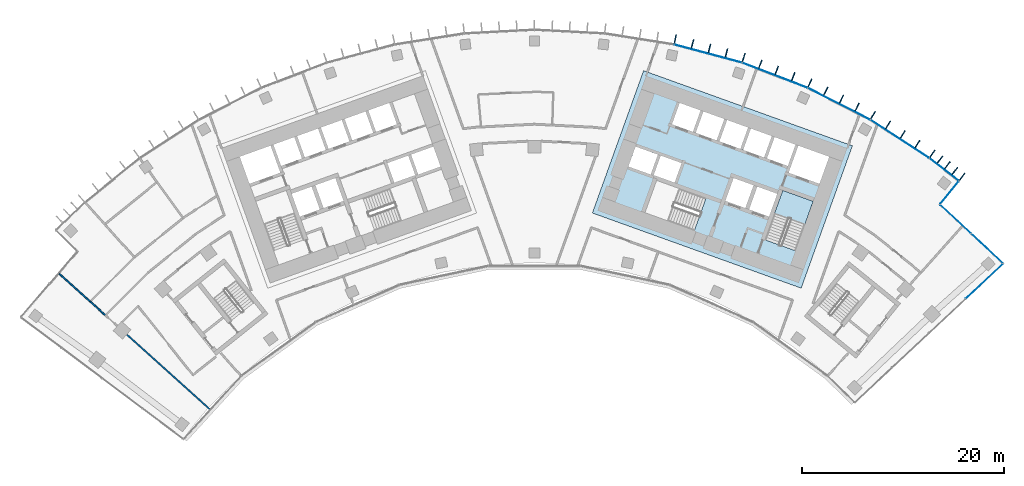
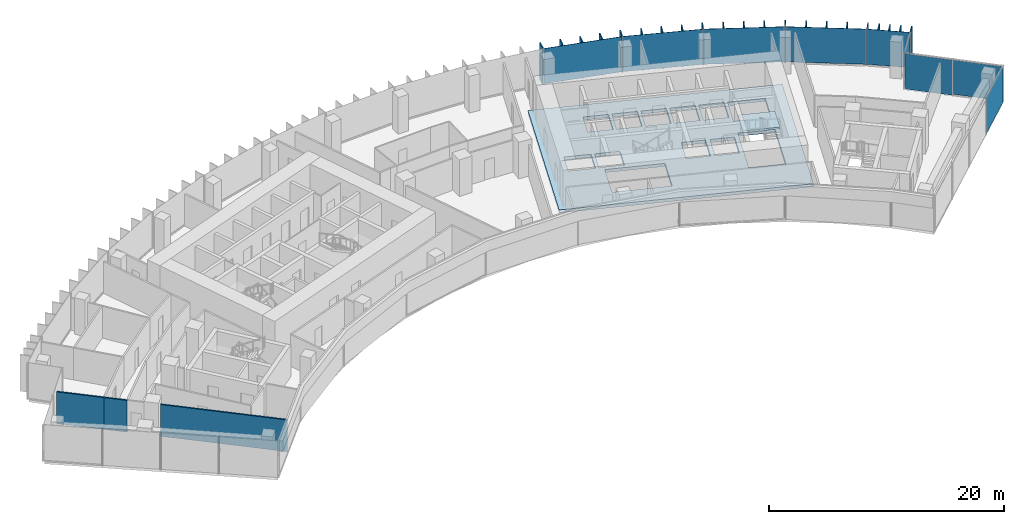
# One storey, part 13 of 21: 30 plates, 3 walls, 2 slabs, 5 elements without a shape of their own.
"""IFC4 building model written with IfcOpenShell, lengths in metres."""

from ifc_helpers import new_model, si_unit, direction, frame, frame_2d, origin, origin_2d, place, context, subcontext, project, spatial, polyline, rectangle, outline, extrude, material, layer, layer_set, type_object, element, aggregate, save


model = new_model("IFC4")

# Units and contexts
model_context = context("Model", 3, precision=1e-05, world=origin(), true_north=direction((0.0, 1.0)))
body_context = subcontext(model_context, "Body", "Model", "MODEL_VIEW")
ifc_project = project(units=[si_unit("LENGTHUNIT", "METRE"), si_unit("AREAUNIT", "SQUARE_METRE"), si_unit("VOLUMEUNIT", "CUBIC_METRE"), si_unit("PLANEANGLEUNIT", "RADIAN"), si_unit("MASSUNIT", "GRAM", prefix="KILO")], contexts=[model_context])

# Site, building, storey
site_placement = place(None, origin())
site = spatial("IfcSite", under=ifc_project, at=site_placement, CompositionType="ELEMENT")
building_placement = place(site_placement, origin())
building = spatial("IfcBuilding", under=site, at=building_placement, Name="Stone Belt Terrace Tower", CompositionType="ELEMENT")
storey_placement = place(building_placement, frame((0.0, 0.0, 189.60009765625)))
storey = spatial("IfcBuildingStorey", under=building, at=storey_placement, Name="L46", CompositionType="ELEMENT", Elevation=189.60009765625)

# Curtain wall, plates
ifc_material_1 = material(Name="Aluminium 6063-T6 anodised frame", Category="aluminium")
ifc_layer_1 = layer(ifc_material_1, 0.14990234375)
ifc_layer_set_1 = layer_set([ifc_layer_1], Name="CW-A unitised convex-face curtain wall")
curtain_wall_type_1 = type_object("IfcCurtainWallType", Name="CW-A unitised convex-face curtain wall", PredefinedType="NOTDEFINED", material=ifc_layer_set_1)
curtain_wall_1_placement = place(storey_placement, origin())
curtain_wall_1 = element("IfcCurtainWall", 1, at=curtain_wall_1_placement, inside=storey, type_object=curtain_wall_type_1, Name="CW-A convex face L46", PredefinedType="NOTDEFINED")
ifc_material_2 = material(Name="Clear double glazed unit")
ifc_layer_2 = layer(ifc_material_2, 0.031982421875)
ifc_layer_set_2 = layer_set([ifc_layer_2], Name="CW-A glass panel 32")
plate_type_1 = type_object("IfcPlateType", Name="CW-A glass panel 32", PredefinedType="CURTAIN_PANEL", material=ifc_layer_set_2)
plate_1_placement = place(storey_placement, frame((40.583251953125, 52.744140625, 0.14013671875), z_axis=(0.0, 0.0, 1.0), x_axis=(-0.792693871824, 0.60961990254, 0.0)))
plate_1 = element("IfcPlate", 2, at=plate_1_placement, type_object=plate_type_1, Name="CW-A panel 1.1", PredefinedType="CURTAIN_PANEL", context=body_context, shape_type="SweptSolid", body=[
    extrude(rectangle(XDim=3.597900390625, YDim=0.031982421875, at=origin_2d()), origin(), (0.0, 0.0, 1.0), 3.659912109375),
])
plate_2_placement = place(storey_placement, frame((36.209716796875, 55.758056640625, 0.14013671875), z_axis=(0.0, 0.0, 1.0), x_axis=(-0.838670567945, 0.544639035015, 0.0)))
plate_2 = element("IfcPlate", 3, at=plate_2_placement, type_object=plate_type_1, Name="CW-A panel 2.1", PredefinedType="CURTAIN_PANEL", context=body_context, shape_type="SweptSolid", body=[
    extrude(rectangle(XDim=6.900634765625, YDim=0.031982421875, at=origin_2d()), origin(), (0.0, 0.0, 1.0), 3.659912109375),
])
plate_3_placement = place(storey_placement, frame((30.18310546875, 59.237548828125, 0.14013671875), z_axis=(0.0, 0.0, 1.0), x_axis=(-0.891006524188, 0.45399049974, 0.0)))
plate_3 = element("IfcPlate", 4, at=plate_3_placement, type_object=plate_type_1, Name="CW-A panel 3.1", PredefinedType="CURTAIN_PANEL", context=body_context, shape_type="SweptSolid", body=[
    extrude(rectangle(XDim=6.90087890625, YDim=0.031982421875, at=origin_2d()), origin(), (0.0, 0.0, 1.0), 3.659912109375),
])
plate_4_placement = place(storey_placement, frame((23.82568359375, 62.068115234375, 0.14013671875), z_axis=(0.0, 0.0, 1.0), x_axis=(-0.933580426497, 0.358367949545, 0.0)))
plate_4 = element("IfcPlate", 5, at=plate_4_placement, type_object=plate_type_1, Name="CW-A panel 4.1", PredefinedType="CURTAIN_PANEL", context=body_context, shape_type="SweptSolid", body=[
    extrude(rectangle(XDim=6.90087890625, YDim=0.031982421875, at=origin_2d()), origin(), (0.0, 0.0, 1.0), 3.659912109375),
])
plate_5_placement = place(storey_placement, frame((17.207275390625, 64.218505859375, 0.14013671875), z_axis=(0.0, 0.0, 1.0), x_axis=(-0.965925826289, 0.258819045103, 0.0)))
plate_5 = element("IfcPlate", 6, at=plate_5_placement, type_object=plate_type_1, Name="CW-A panel 5.1", PredefinedType="CURTAIN_PANEL", context=body_context, shape_type="SweptSolid", body=[
    extrude(rectangle(XDim=6.90087890625, YDim=0.031982421875, at=origin_2d()), origin(), (0.0, 0.0, 1.0), 3.659912109375),
])
aggregate(curtain_wall_1, [plate_1, plate_2, plate_3, plate_4, plate_5])

# Curtain wall, plate
ifc_layer_3 = layer(ifc_material_1, 0.14990234375)
ifc_layer_set_3 = layer_set([ifc_layer_3], Name="CW-C stick curtain wall, horn ends and notches")
curtain_wall_type_2 = type_object("IfcCurtainWallType", Name="CW-C stick curtain wall, horn ends and notches", PredefinedType="NOTDEFINED", material=ifc_layer_set_3)
curtain_wall_2_placement = place(storey_placement, origin())
curtain_wall_2 = element("IfcCurtainWall", 7, at=curtain_wall_2_placement, inside=storey, type_object=curtain_wall_type_2, Name="CW-C end face L46", PredefinedType="NOTDEFINED")
ifc_layer_4 = layer(ifc_material_2, 0.028076171875)
ifc_layer_set_4 = layer_set([ifc_layer_4], Name="CW-C glass panel 28")
plate_type_2 = type_object("IfcPlateType", Name="CW-C glass panel 28", PredefinedType="CURTAIN_PANEL", material=ifc_layer_set_4)
plate_6_placement = place(storey_placement, frame((44.588134765625, 41.65380859375, 0.0), z_axis=(0.0, 0.0, 1.0), x_axis=(0.729904219708, 0.683549434973, 0.0)))
plate_6 = element("IfcPlate", 8, at=plate_6_placement, type_object=plate_type_2, Name="CW-C panel 4.1", PredefinedType="CURTAIN_PANEL", context=body_context, shape_type="SweptSolid", body=[
    extrude(rectangle(XDim=4.974853515625, YDim=0.028076171875, at=origin_2d()), origin(), (0.0, 0.0, 1.0), 3.679931640625),
])
aggregate(curtain_wall_2, [plate_6])

# Curtain wall, plates
curtain_wall_3_placement = place(storey_placement, origin())
curtain_wall_3 = element("IfcCurtainWall", 9, at=curtain_wall_3_placement, inside=storey, type_object=curtain_wall_type_2, Name="CW-C notch face L46", PredefinedType="NOTDEFINED")
plate_7_placement = place(storey_placement, frame((44.8427734375, 44.91259765625, 0.119873046875), z_axis=(0.0, 0.0, 1.0), x_axis=(-0.731339333871, 0.682013767261, 0.0)))
plate_7 = element("IfcPlate", 10, at=plate_7_placement, type_object=plate_type_2, Name="CW-C panel 1.1", PredefinedType="CURTAIN_PANEL", context=body_context, shape_type="SweptSolid", body=[
    extrude(rectangle(XDim=4.268798828125, YDim=0.028076171875, at=origin_2d()), origin(), (0.0, 0.0, 1.0), 3.56005859375),
])
plate_8_placement = place(storey_placement, frame((41.731201171875, 47.814208984375, 0.0), z_axis=(0.0, 0.0, 1.0), x_axis=(-0.731339333871, 0.682013767261, 0.0)))
plate_8 = element("IfcPlate", 11, at=plate_8_placement, type_object=plate_type_2, Name="CW-C panel 2.1", PredefinedType="CURTAIN_PANEL", context=body_context, shape_type="SweptSolid", body=[
    extrude(rectangle(XDim=4.12060546875, YDim=0.028076171875, at=origin_2d()), origin(), (0.0, 0.0, 1.0), 3.679931640625),
])
aggregate(curtain_wall_3, [plate_7, plate_8])

# Curtain wall, plate
curtain_wall_4_placement = place(storey_placement, origin())
curtain_wall_4 = element("IfcCurtainWall", 12, at=curtain_wall_4_placement, inside=storey, type_object=curtain_wall_type_2, Name="CW-C notch face L46", PredefinedType="NOTDEFINED")
plate_9_placement = place(storey_placement, frame((41.119140625, 50.43505859375, 0.119873046875), z_axis=(0.0, 0.0, 1.0), x_axis=(0.631001485542, 0.775781622136, 0.0)))
plate_9 = element("IfcPlate", 13, at=plate_9_placement, type_object=plate_type_2, Name="CW-C panel 1.1", PredefinedType="CURTAIN_PANEL", context=body_context, shape_type="SweptSolid", body=[
    extrude(rectangle(XDim=2.859130859375, YDim=0.028076171875, at=origin_2d()), origin(), (0.0, 0.0, 1.0), 3.56005859375),
])
aggregate(curtain_wall_4, [plate_9])

# Slab
ifc_material_3 = material(Name="Concrete B40", Category="concrete")
ifc_layer_5 = layer(ifc_material_3, 0.320068359375)
ifc_layer_set_5 = layer_set([ifc_layer_5], Name="Core floor slab 320")
slab_type_1 = type_object("IfcSlabType", Name="Core floor slab 320", PredefinedType="FLOOR", material=ifc_layer_set_5)
slab_1_placement = place(storey_placement, frame((0.0, 0.0, -0.320068359375)))
element("IfcSlab", 14, at=slab_1_placement, inside=storey, type_object=slab_type_1, Name="Core B floor L46", PredefinedType="FLOOR", context=body_context, shape_type="SweptSolid", body=[
    extrude(outline(polyline([(26.43505859375, 40.968994140625), (31.513916015625, 55.0830078125), (10.81396484375, 62.531982421875), (5.735107421875, 48.4189453125), (26.43505859375, 40.968994140625)]), holes=[polyline([(12.10595703125, 51.652099609375), (16.998046875, 49.89208984375), (15.846923828125, 46.69189453125), (10.955078125, 48.452880859375), (12.10595703125, 51.652099609375)]), polyline([(12.511962890625, 54.110107421875), (14.58203125, 53.364990234375), (13.887939453125, 51.43603515625), (11.864990234375, 52.1640625), (11.847900390625, 52.116943359375), (11.801025390625, 52.134033203125), (12.511962890625, 54.110107421875)]), polyline([(9.30810546875, 53.031005859375), (10.01904296875, 55.007080078125), (12.22998046875, 54.2109375), (11.51904296875, 52.235107421875), (9.30810546875, 53.031005859375)]), polyline([(18.333984375, 55.52197265625), (19.095947265625, 57.638916015625), (21.166015625, 56.89404296875), (20.404052734375, 54.777099609375), (18.333984375, 55.52197265625)]), polyline([(16.743896484375, 58.485107421875), (18.81396484375, 57.739990234375), (18.052001953125, 55.623046875), (15.98193359375, 56.367919921875), (16.743896484375, 58.485107421875)]), polyline([(14.39111328125, 59.33203125), (16.4609375, 58.5869140625), (15.699951171875, 56.469970703125), (13.6298828125, 57.215087890625), (14.39111328125, 59.33203125)]), polyline([(27.618896484375, 49.575927734375), (25.85888671875, 44.68408203125), (22.847900390625, 45.76806640625), (24.60791015625, 50.659912109375), (27.618896484375, 49.575927734375)]), polyline([(23.25, 48.06689453125), (21.27392578125, 48.778076171875), (22.0869140625, 51.035888671875), (24.06298828125, 50.324951171875), (23.25, 48.06689453125)]), polyline([(20.89794921875, 48.9130859375), (18.922119140625, 49.6240234375), (19.735107421875, 51.883056640625), (21.7109375, 51.1708984375), (20.89794921875, 48.9130859375)]), polyline([(26.153076171875, 55.09912109375), (29.2109375, 53.9990234375), (28.24609375, 51.31689453125), (25.18798828125, 52.41796875), (26.153076171875, 55.09912109375)]), polyline([(23.801025390625, 55.946044921875), (25.87109375, 55.200927734375), (25.10888671875, 53.083984375), (23.0390625, 53.8291015625), (23.801025390625, 55.946044921875)]), polyline([(21.447998046875, 56.7919921875), (23.51806640625, 56.047119140625), (22.756103515625, 53.929931640625), (20.68603515625, 54.675048828125), (21.447998046875, 56.7919921875)])]), origin(), (0.0, 0.0, 1.0), 0.320068359375),
])

# Stair, slab
stair_type = type_object("IfcStairType", Name="Exit stair 1500", PredefinedType="HALF_TURN_STAIR", material=ifc_material_3)
stair_placement = place(storey_placement, origin())
stair = element("IfcStair", 15, at=stair_placement, inside=storey, type_object=stair_type, Name="L46 Exit stair 1 core B", PredefinedType="HALF_TURN_STAIR")
ifc_layer_6 = layer(ifc_material_3, 0.199951171875)
ifc_layer_set_6 = layer_set([ifc_layer_6], Name="Stair landing 200")
slab_type_2 = type_object("IfcSlabType", Name="Stair landing 200", PredefinedType="LANDING", material=ifc_layer_set_6)
slab_2_placement = place(storey_placement, frame((0.0, 0.0, 1.699951171875)))
slab_2 = element("IfcSlab", 16, at=slab_2_placement, type_object=slab_type_2, Name="ST1B landing 1", PredefinedType="LANDING", context=body_context, shape_type="SweptSolid", body=[
    extrude(outline(polyline([(26.806396484375, 47.3173828125), (27.619384765625, 49.576171875), (24.6083984375, 50.659912109375), (23.79541015625, 48.40087890625), (26.806396484375, 47.3173828125)])), origin(), (0.0, 0.0, 1.0), 0.199951171875),
])
aggregate(stair, [slab_2])

# Plates
ifc_material_4 = material(Name="Terracotta coloured glazed ceramic", Category="masonry")
ifc_layer_7 = layer(ifc_material_4, 0.10009765625)
ifc_layer_set_7 = layer_set([ifc_layer_7], Name="Terracotta fin 100 x 900")
plate_type_3 = type_object("IfcPlateType", Name="Terracotta fin 100 x 900", PredefinedType="SHEET", material=ifc_layer_set_7)
for number, where, z_axis, x_axis, name in (
    (17, (42.388427734375, 52.01806640625, 0.0), (0.0, 0.0, 1.0), (0.60961990254, 0.792693871824, 0.0), "FIN L46 1.1"),
    (18, (41.654052734375, 52.582763671875, 0.0), (0.0, 0.0, 1.0), (0.60961990254, 0.792693871824, 0.0), "FIN L46 1.2"),
    (19, (40.919677734375, 53.147705078125, 0.0), (0.0, 0.0, 1.0), (0.60961990254, 0.792693871824, 0.0), "FIN L46 1.3"),
    (20, (40.185546875, 53.71240234375, 0.0), (0.0, 0.0, 1.0), (0.60961990254, 0.792693871824, 0.0), "FIN L46 1.4"),
    (21, (39.434326171875, 54.28955078125, 0.0), (0.0, 0.0, 1.0), (0.577587125789, 0.816329046477, 0.0), "FIN L46 2.1"),
    (22, (37.9560546875, 55.25, 0.0), (0.0, 0.0, 1.0), (0.544639035015, 0.838670567945, 0.0), "FIN L46 2.2"),
    (23, (36.495361328125, 56.19873046875, 0.0), (0.0, 0.0, 1.0), (0.544639035015, 0.838670567945, 0.0), "FIN L46 2.3"),
    (24, (35.034423828125, 57.147216796875, 0.0), (0.0, 0.0, 1.0), (0.544639035015, 0.838670567945, 0.0), "FIN L46 2.4"),
    (25, (33.550048828125, 58.1103515625, 0.0), (0.0, 0.0, 1.0), (0.5, 0.866025403784, 0.0), "FIN L46 3.1"),
    (26, (31.9736328125, 58.914306640625, 0.0), (0.0, 0.0, 1.0), (0.45399049974, 0.891006524188, 0.0), "FIN L46 3.2"),
    (27, (30.42138671875, 59.705322265625, 0.0), (0.0, 0.0, 1.0), (0.45399049974, 0.891006524188, 0.0), "FIN L46 3.3"),
    (28, (28.869140625, 60.496337890625, 0.0), (0.0, 0.0, 1.0), (0.45399049974, 0.891006524188, 0.0), "FIN L46 3.4"),
    (29, (27.2919921875, 61.299072265625, 0.0), (0.0, 0.0, 1.0), (0.406736643076, 0.913545457643, 0.0), "FIN L46 4.1"),
    (30, (25.64013671875, 61.933837890625, 0.0), (0.0, 0.0, 1.0), (0.358367949545, 0.933580426497, 0.0), "FIN L46 4.2"),
    (31, (24.013916015625, 62.55810546875, 0.0), (0.0, 0.0, 1.0), (0.358367949545, 0.933580426497, 0.0), "FIN L46 4.3"),
    (32, (22.387451171875, 63.182373046875, 0.0), (0.0, 0.0, 1.0), (0.358367949545, 0.933580426497, 0.0), "FIN L46 4.4"),
    (33, (20.735107421875, 63.81591796875, 0.0), (0.0, 0.0, 1.0), (0.309016994375, 0.951056516295, 0.0), "FIN L46 5.1"),
    (34, (19.02587890625, 64.274658203125, 0.0), (0.0, 0.0, 1.0), (0.258819045103, 0.965925826289, 0.0), "FIN L46 5.2"),
    (35, (17.34326171875, 64.7255859375, 0.0), (0.0, 0.0, 1.0), (0.258819045103, 0.965925826289, 0.0), "FIN L46 5.3"),
    (36, (15.660400390625, 65.176513671875, 0.0), (0.0, 0.0, 1.0), (0.258819045103, 0.965925826289, 0.0), "FIN L46 5.4"),
    (37, (13.950927734375, 65.6337890625, 0.0), (0.0, 0.0, 1.0), (0.207911690818, 0.978147600734, 0.0), "FIN L46 6.1"),
):
    element("IfcPlate", number, at=place(storey_placement, frame(where, z_axis=z_axis, x_axis=x_axis)), inside=storey, type_object=plate_type_3, Name=name, PredefinedType="SHEET", context=body_context, shape_type="SweptSolid", body=[
        extrude(rectangle(XDim=0.89990234375, YDim=0.10009765625, at=origin_2d()), origin(), (0.0, 0.0, 1.0), 3.800048828125),
    ])

# Walls
ifc_material_5 = material(Name="Gypsum board partition")
ifc_layer_8 = layer(ifc_material_5, 0.14990234375)
ifc_layer_set_8 = layer_set([ifc_layer_8], Name="PARTITION 150 EI 60")
wall_type = type_object("IfcWallType", Name="PARTITION 150 EI 60", PredefinedType="PARTITIONING", material=ifc_layer_set_8)
wall_1_placement = place(storey_placement, frame((-40.385986328125, 36.3642578125, 0.0), z_axis=(0.0, 0.0, 1.0), x_axis=(0.743128216334, -0.669149052221, 0.0)))
element("IfcWall", 38, at=wall_1_placement, inside=storey, type_object=wall_type, Name="L46/wall/i030", PredefinedType="PARTITIONING", context=body_context, shape_type="SweptSolid", body=[
    extrude(rectangle(XDim=11.048828125, YDim=0.14990234375, at=frame_2d((5.5244140625, 0.0))), origin(), (0.0, 0.0, 1.0), 3.2998046875),
])
wall_2_placement = place(storey_placement, frame((-44.032958984375, 39.64892578125, 0.0), z_axis=(0.0, 0.0, 1.0), x_axis=(0.742822489991, -0.669488422875, 0.0)))
element("IfcWall", 39, at=wall_2_placement, inside=storey, type_object=wall_type, Name="L46/wall/i031", PredefinedType="PARTITIONING", context=body_context, shape_type="SweptSolid", body=[
    extrude(rectangle(XDim=2.0341796875, YDim=0.14990234375, at=frame_2d((1.01708984375, 0.0))), origin(), (0.0, 0.0, 1.0), 3.2998046875),
])
wall_3_placement = place(storey_placement, frame((-47.09228515625, 42.40283203125, 0.0), z_axis=(0.0, 0.0, 1.0), x_axis=(0.743164720572, -0.669108509958, 0.0)))
element("IfcWall", 40, at=wall_3_placement, inside=storey, type_object=wall_type, Name="L46/wall/i032", PredefinedType="PARTITIONING", context=body_context, shape_type="SweptSolid", body=[
    extrude(rectangle(XDim=4.12744140625, YDim=0.14990234375, at=frame_2d((2.063720703125, 0.0))), origin(), (0.0, 0.0, 1.0), 3.2998046875),
])

save(model, "model.ifc")
